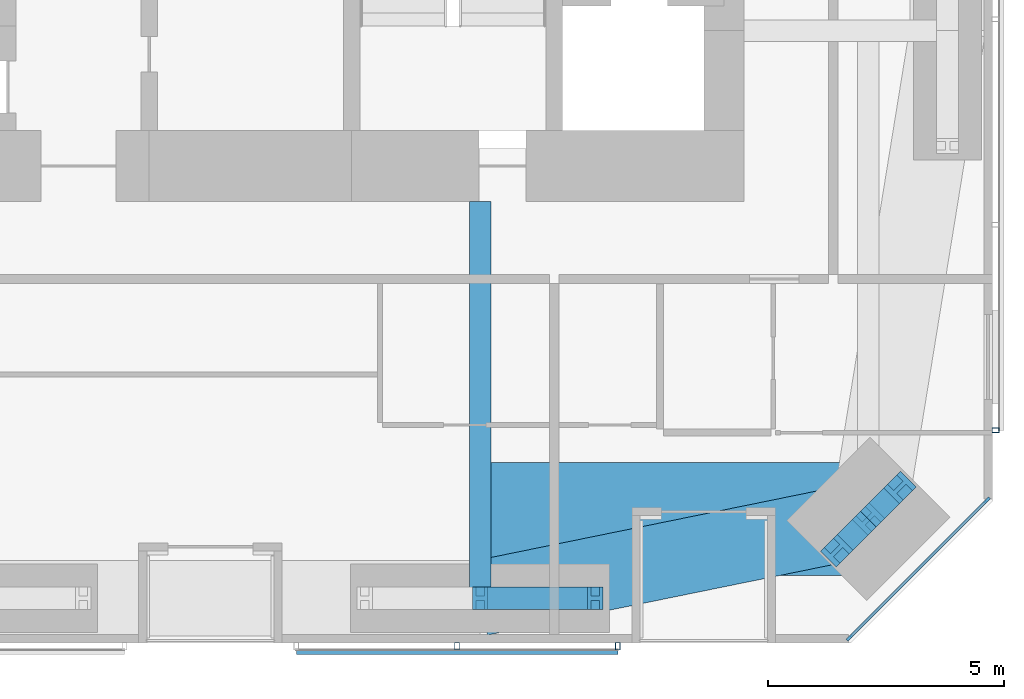
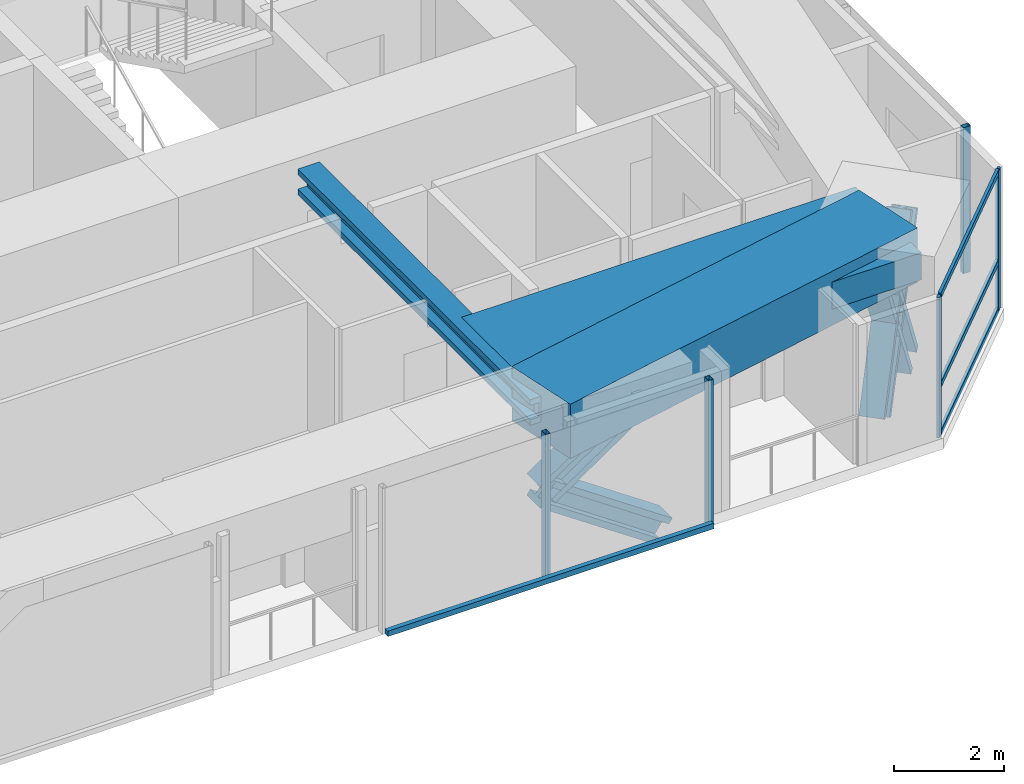
# One storey, part 8 of 24: 15 members, 3 beams, 3 elements without a shape of their own.
"""IFC4 building model written with IfcOpenShell, lengths in metres."""

from ifc_helpers import new_model, si_unit, direction, frame, origin, origin_2d, place, context, subcontext, project, spatial, rectangle, hollow_rectangle, i_section, extrude, material, material_profile, profile_set, type_object, element, aggregate, save


model = new_model("IFC4")

# Units and contexts
model_context = context("Model", 3, precision=1e-05, world=origin(), true_north=direction((0.0, 1.0)))
body_context = subcontext(model_context, "Body", "Model", "MODEL_VIEW")
ifc_project = project(units=[si_unit("LENGTHUNIT", "METRE"), si_unit("AREAUNIT", "SQUARE_METRE"), si_unit("VOLUMEUNIT", "CUBIC_METRE"), si_unit("PLANEANGLEUNIT", "RADIAN"), si_unit("MASSUNIT", "GRAM", prefix="KILO")], contexts=[model_context])

# Site, building, storey
site_placement = place(None, origin())
site = spatial("IfcSite", under=ifc_project, at=site_placement, CompositionType="ELEMENT")
building_placement = place(site_placement, origin())
building = spatial("IfcBuilding", under=site, at=building_placement, Name="Jalousie Tower", CompositionType="ELEMENT")
storey_placement = place(building_placement, frame((0.0, 0.0, 135.0)))
storey = spatial("IfcBuildingStorey", under=building, at=storey_placement, Name="L37", CompositionType="ELEMENT", Elevation=135.0)

# Curtain wall, members
ifc_material_1 = material(Name="Aluminium curtain wall", Category="aluminium")
curtain_wall_type_1 = type_object("IfcCurtainWallType", Name="CORNER WINDOW WALL", PredefinedType="USERDEFINED", material=ifc_material_1)
curtain_wall_1_placement = place(storey_placement, origin())
curtain_wall_1 = element("IfcCurtainWall", 1, at=curtain_wall_1_placement, inside=storey, type_object=curtain_wall_type_1, Name="Corner Window Wall L37 2", ObjectType="CORNER WINDOW WALL", PredefinedType="USERDEFINED")
ifc_material_2 = material(Name="Aluminium mullion", Category="aluminium")
ifc_material_profile_1 = material_profile(ifc_material_2, rectangle(XDim=0.06005859375, YDim=0.14990234375, at=origin_2d()), Name="MULLION 60x150")
ifc_profile_set_1 = profile_set([ifc_material_profile_1], Name="Aluminium mullion")
member_type_1 = type_object("IfcMemberType", Name="CORNER WINDOW WALL MULLION", PredefinedType="MULLION", material=ifc_profile_set_1)
member_1_placement = place(storey_placement, frame((46.469970703125, 0.108642578125, 0.0), z_axis=(0.0, 0.0, 1.0), x_axis=(-0.707106781187, 0.707106781187, 0.0)))
member_1 = element("IfcMember", 2, at=member_1_placement, type_object=member_type_1, Name="CW-C mullion 1", PredefinedType="MULLION", context=body_context, shape_type="SweptSolid", body=[
    extrude(rectangle(XDim=0.06005859375, YDim=0.14990234375, at=origin_2d()), origin(), (0.0, 0.0, 1.0), 3.110107421875),
])
member_2_placement = place(storey_placement, frame((49.391357421875, 3.030029296875, 0.0), z_axis=(0.0, 0.0, 1.0), x_axis=(-0.707106781187, 0.707106781187, 0.0)))
member_2 = element("IfcMember", 3, at=member_2_placement, type_object=member_type_1, Name="CW-C mullion 2", PredefinedType="MULLION", context=body_context, shape_type="SweptSolid", body=[
    extrude(rectangle(XDim=0.06005859375, YDim=0.14990234375, at=origin_2d()), origin(), (0.0, 0.0, 1.0), 3.110107421875),
])
ifc_material_3 = material(Name="Aluminium transom", Category="aluminium")
ifc_material_profile_2 = material_profile(ifc_material_3, rectangle(XDim=0.06005859375, YDim=0.1201171875, at=origin_2d()), Name="TRANSOM 60x120")
ifc_profile_set_2 = profile_set([ifc_material_profile_2], Name="Aluminium transom")
member_type_2 = type_object("IfcMemberType", Name="CORNER WINDOW WALL TRANSOM", PredefinedType="USERDEFINED", material=ifc_profile_set_2)
member_3_placement = place(storey_placement, frame((46.4912109375, 0.1298828125, 0.030029296875), z_axis=(0.707106781187, 0.707106781187, 0.0), x_axis=(-0.707106781187, 0.707106781187, 0.0)))
member_3 = element("IfcMember", 4, at=member_3_placement, type_object=member_type_2, Name="CW-C transom 1.1", ObjectType="TRANSOM", PredefinedType="USERDEFINED", context=body_context, shape_type="SweptSolid", body=[
    extrude(rectangle(XDim=0.06005859375, YDim=0.1201171875, at=origin_2d()), origin(), (0.0, 0.0, 1.0), 4.0712890625),
])
member_4_placement = place(storey_placement, frame((46.4912109375, 0.1298828125, 1.10009765625), z_axis=(0.707106781187, 0.707106781187, 0.0), x_axis=(-0.707106781187, 0.707106781187, 0.0)))
member_4 = element("IfcMember", 5, at=member_4_placement, type_object=member_type_2, Name="CW-C transom 1.2", ObjectType="TRANSOM", PredefinedType="USERDEFINED", context=body_context, shape_type="SweptSolid", body=[
    extrude(rectangle(XDim=0.06005859375, YDim=0.1201171875, at=origin_2d()), origin(), (0.0, 0.0, 1.0), 4.0712890625),
])
member_5_placement = place(storey_placement, frame((46.4912109375, 0.1298828125, 3.080078125), z_axis=(0.707106781187, 0.707106781187, 0.0), x_axis=(-0.707106781187, 0.707106781187, 0.0)))
member_5 = element("IfcMember", 6, at=member_5_placement, type_object=member_type_2, Name="CW-C transom 1.3", ObjectType="TRANSOM", PredefinedType="USERDEFINED", context=body_context, shape_type="SweptSolid", body=[
    extrude(rectangle(XDim=0.06005859375, YDim=0.1201171875, at=origin_2d()), origin(), (0.0, 0.0, 1.0), 4.0712890625),
])
aggregate(curtain_wall_1, [member_1, member_2, member_3, member_4, member_5])

# Beam
ifc_material_4 = material(Name="Steel ASTM A992 Grade 50", Category="steel")
ifc_material_profile_3 = material_profile(ifc_material_4, i_section(OverallWidth=0.45458984375, OverallDepth=0.569091796875, WebThickness=0.077880859375, FlangeThickness=0.124755859375, at=origin_2d()), Name="W14X730")
ifc_profile_set_3 = profile_set([ifc_material_profile_3], Name="Steel ASTM A992 Grade 50")
beam_type_1 = type_object("IfcBeamType", Name="LEAN COLLECTOR W14X730", PredefinedType="BEAM", material=ifc_profile_set_3)
beam_1_placement = place(storey_placement, frame((38.625, 0.949951171875, 2.825439453125), z_axis=(0.0, 1.0, 0.0), x_axis=(-1.0, 0.0, 0.0)))
element("IfcBeam", 7, at=beam_1_placement, inside=storey, type_object=beam_type_1, Name="Lean collector under L38", PredefinedType="BEAM", context=body_context, shape_type="SweptSolid", body=[
    extrude(i_section(OverallWidth=0.45458984375, OverallDepth=0.569091796875, WebThickness=0.077880859375, FlangeThickness=0.124755859375, at=origin_2d()), origin(), (0.0, 0.0, 1.0), 8.425048828125),
])

# Members
ifc_material_5 = material(Name="Steel ASTM A992 Grade 50", Category="steel")
ifc_material_profile_4 = material_profile(ifc_material_5, i_section(OverallWidth=0.472412109375, OverallDepth=0.5791015625, WebThickness=0.094970703125, FlangeThickness=0.1298828125, at=origin_2d()), Name="W14X808")
ifc_profile_set_4 = profile_set([ifc_material_profile_4], Name="Steel ASTM A992 Grade 50")
member_type_3 = type_object("IfcMemberType", Name="PERIMETER BRACE W14X808", PredefinedType="BRACE", material=ifc_profile_set_4)
for number, where, z_axis, x_axis, name in (
    (8, (38.625, 0.949951171875, 1.074951171875), (0.825500916831, 0.0, 0.564400776321), (0.0, 1.0, 0.0), "Perimeter brace 04 L37 part 2"),
    (9, (41.074951171875, 0.949951171875, -0.60009765625), (-0.825500916831, 0.0, 0.564400776321), (0.0, -1.0, 0.0), "Perimeter brace 04 L37 part 3"),
):
    element("IfcMember", number, at=place(storey_placement, frame(where, z_axis=z_axis, x_axis=x_axis)), inside=storey, type_object=member_type_3, Name=name, PredefinedType="BRACE", context=body_context, shape_type="SweptSolid", body=[
        extrude(i_section(OverallWidth=0.472412109375, OverallDepth=0.5791015625, WebThickness=0.094970703125, FlangeThickness=0.1298828125, at=origin_2d()), origin(), (0.0, 0.0, 1.0), 2.9677734375),
    ])
for number, where, z_axis, x_axis, name in (
    (10, (46.197021484375, 1.959716796875, -0.60009765625), (0.348789058631, 0.348789058631, 0.869880672943), (-0.707106781187, 0.707106781187, 0.0), "Perimeter brace 05 L37 part 1"),
    (11, (46.86865234375, 2.63134765625, 1.074951171875), (0.348789058631, 0.348789058631, 0.869880672943), (-0.707106781187, 0.707106781187, 0.0), "Perimeter brace 05 L37 part 2"),
    (12, (47.540283203125, 3.302978515625, -0.60009765625), (-0.348789058631, -0.348789058631, 0.869880672943), (0.707106781187, -0.707106781187, 0.0), "Perimeter brace 05 L37 part 3"),
    (13, (46.86865234375, 2.63134765625, 1.074951171875), (-0.348789058631, -0.348789058631, 0.869880672943), (0.707106781187, -0.707106781187, 0.0), "Perimeter brace 05 L37 part 4"),
):
    element("IfcMember", number, at=place(storey_placement, frame(where, z_axis=z_axis, x_axis=x_axis)), inside=storey, type_object=member_type_3, Name=name, PredefinedType="BRACE", context=body_context, shape_type="SweptSolid", body=[
        extrude(i_section(OverallWidth=0.472412109375, OverallDepth=0.5791015625, WebThickness=0.094970703125, FlangeThickness=0.1298828125, at=origin_2d()), origin(), (0.0, 0.0, 1.0), 1.925537109375),
    ])

# Beams
ifc_material_6 = material(Name="Concrete f'c 40 MPa", Category="concrete")
ifc_material_profile_5 = material_profile(ifc_material_6, rectangle(XDim=1.60009765625, YDim=1.199951171875, at=origin_2d()), Name="RC 1600x1200")
ifc_profile_set_5 = profile_set([ifc_material_profile_5], Name="Concrete f'c 40 MPa")
beam_type_2 = type_object("IfcBeamType", Name="RC BEAM 1600x1200", PredefinedType="BEAM", material=ifc_profile_set_5)
beam_2_placement = place(storey_placement, frame((38.625, 0.949951171875, 2.75), z_axis=(0.97982690954, 0.199848010602, 0.0), x_axis=(-0.199848010602, 0.97982690954, 0.0)))
element("IfcBeam", 14, at=beam_2_placement, inside=storey, type_object=beam_type_2, Name="Edge band beam 04-05 under L38", PredefinedType="BEAM", context=body_context, shape_type="SweptSolid", body=[
    extrude(rectangle(XDim=1.60009765625, YDim=1.199951171875, at=origin_2d()), origin(), (0.0, 0.0, 1.0), 8.413330078125),
])
ifc_material_7 = material(Name="Concrete f'c 40 MPa", Category="concrete")
ifc_material_profile_6 = material_profile(ifc_material_7, rectangle(XDim=2.39990234375, YDim=0.60009765625, at=origin_2d()), Name="RC 2400x600")
ifc_profile_set_6 = profile_set([ifc_material_profile_6], Name="Concrete f'c 40 MPa")
beam_type_3 = type_object("IfcBeamType", Name="RC BEAM 2400x600", PredefinedType="BEAM", material=ifc_profile_set_6)
beam_3_placement = place(storey_placement, frame((46.86865234375, 2.63134765625, 2.81005859375), z_axis=(-1.0, 0.0, 0.0), x_axis=(0.0, -1.0, 0.0)))
element("IfcBeam", 15, at=beam_3_placement, inside=storey, type_object=beam_type_3, Name="Floor band beam under L38", PredefinedType="BEAM", context=body_context, shape_type="SweptSolid", body=[
    extrude(rectangle(XDim=2.39990234375, YDim=0.60009765625, at=origin_2d()), origin(), (0.0, 0.0, 1.0), 8.24365234375),
])

# Curtain wall, members
ifc_material_8 = material(Name="Perforated aluminium sheet", Category="aluminium")
curtain_wall_type_2 = type_object("IfcCurtainWallType", Name="SOLAR SCREEN SS-1", PredefinedType="USERDEFINED", material=ifc_material_8)
curtain_wall_2_placement = place(storey_placement, origin())
curtain_wall_2 = element("IfcCurtainWall", 16, at=curtain_wall_2_placement, inside=storey, type_object=curtain_wall_type_2, Name="Solar screen L37", ObjectType="SOLAR SCREEN SS-1", PredefinedType="USERDEFINED")
ifc_material_9 = material(Name="Steel ASTM A500 Grade C", Category="steel")
ifc_material_profile_7 = material_profile(ifc_material_9, hollow_rectangle(XDim=0.1015625, YDim=0.15234375, WallThickness=0.00634765625, at=origin_2d()), Name="HSS6X4X1/4")
ifc_profile_set_7 = profile_set([ifc_material_profile_7], Name="Steel ASTM A500 Grade C")
member_type_4 = type_object("IfcMemberType", Name="SOLAR SCREEN SS-1 MULLION", PredefinedType="MULLION", material=ifc_profile_set_7)
member_6_placement = place(storey_placement, frame((38.137451171875, -0.0712890625, -0.1201171875), z_axis=(0.0, 0.0, 1.0), x_axis=(1.0, 0.0, 0.0)))
member_6 = element("IfcMember", 17, at=member_6_placement, type_object=member_type_4, Name="SS1 post 2", PredefinedType="MULLION", context=body_context, shape_type="SweptSolid", body=[
    extrude(hollow_rectangle(XDim=0.1015625, YDim=0.15234375, WallThickness=0.00634765625, at=origin_2d()), origin(), (0.0, 0.0, 1.0), 3.230224609375),
])
member_7_placement = place(storey_placement, frame((41.550048828125, -0.0712890625, -0.1201171875), z_axis=(0.0, 0.0, 1.0), x_axis=(1.0, 0.0, 0.0)))
member_7 = element("IfcMember", 18, at=member_7_placement, type_object=member_type_4, Name="SS1 post 3", PredefinedType="MULLION", context=body_context, shape_type="SweptSolid", body=[
    extrude(hollow_rectangle(XDim=0.1015625, YDim=0.15234375, WallThickness=0.00634765625, at=origin_2d()), origin(), (0.0, 0.0, 1.0), 3.230224609375),
])

# Curtain wall, member
curtain_wall_3_placement = place(storey_placement, origin())
curtain_wall_3 = element("IfcCurtainWall", 19, at=curtain_wall_3_placement, inside=storey, type_object=curtain_wall_type_2, Name="Solar screen L37", ObjectType="SOLAR SCREEN SS-1", PredefinedType="USERDEFINED")
member_8_placement = place(storey_placement, frame((49.5712890625, 4.513916015625, -0.1201171875), z_axis=(0.0, 0.0, 1.0), x_axis=(0.0, 1.0, 0.0)))
member_8 = element("IfcMember", 20, at=member_8_placement, type_object=member_type_4, Name="SS1 post 1", PredefinedType="MULLION", context=body_context, shape_type="SweptSolid", body=[
    extrude(hollow_rectangle(XDim=0.1015625, YDim=0.15234375, WallThickness=0.00634765625, at=origin_2d()), origin(), (0.0, 0.0, 1.0), 3.230224609375),
])
aggregate(curtain_wall_3, [member_8])

# Member
ifc_material_10 = material(Name="Extruded aluminium screen rail", Category="aluminium")
ifc_material_profile_8 = material_profile(ifc_material_10, rectangle(XDim=0.1015625, YDim=0.1201171875, at=origin_2d()), Name="RAIL 102x120")
ifc_profile_set_8 = profile_set([ifc_material_profile_8], Name="Extruded aluminium screen rail")
member_type_5 = type_object("IfcMemberType", Name="SOLAR SCREEN SS-1 TRANSOM", PredefinedType="USERDEFINED", material=ifc_profile_set_8)
member_9_placement = place(storey_placement, frame((34.72509765625, -0.1982421875, -0.06005859375), z_axis=(1.0, 0.0, 0.0), x_axis=(0.0, 1.0, 0.0)))
member_9 = element("IfcMember", 21, at=member_9_placement, type_object=member_type_5, Name="SS1 rail", ObjectType="TRANSOM", PredefinedType="USERDEFINED", context=body_context, shape_type="SweptSolid", body=[
    extrude(rectangle(XDim=0.1015625, YDim=0.1201171875, at=origin_2d()), origin(), (0.0, 0.0, 1.0), 6.824951171875),
])

aggregate(curtain_wall_2, [member_6, member_7, member_9])

save(model, "model.ifc")
